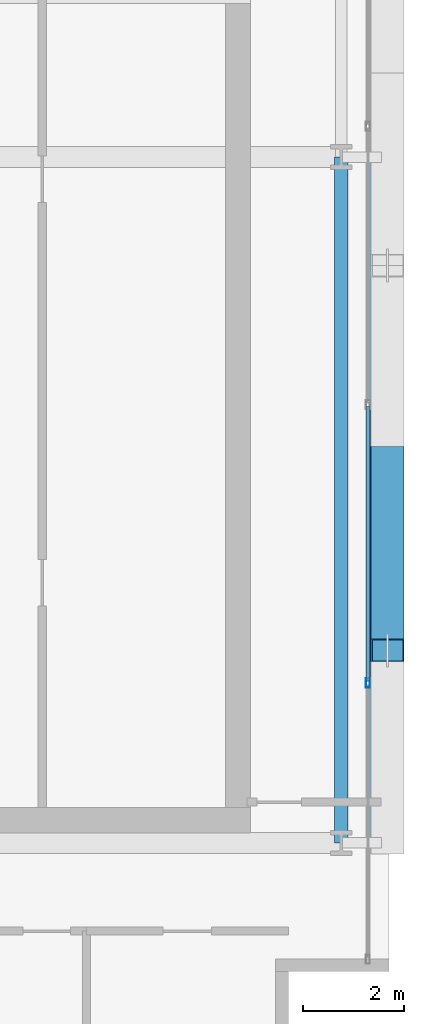
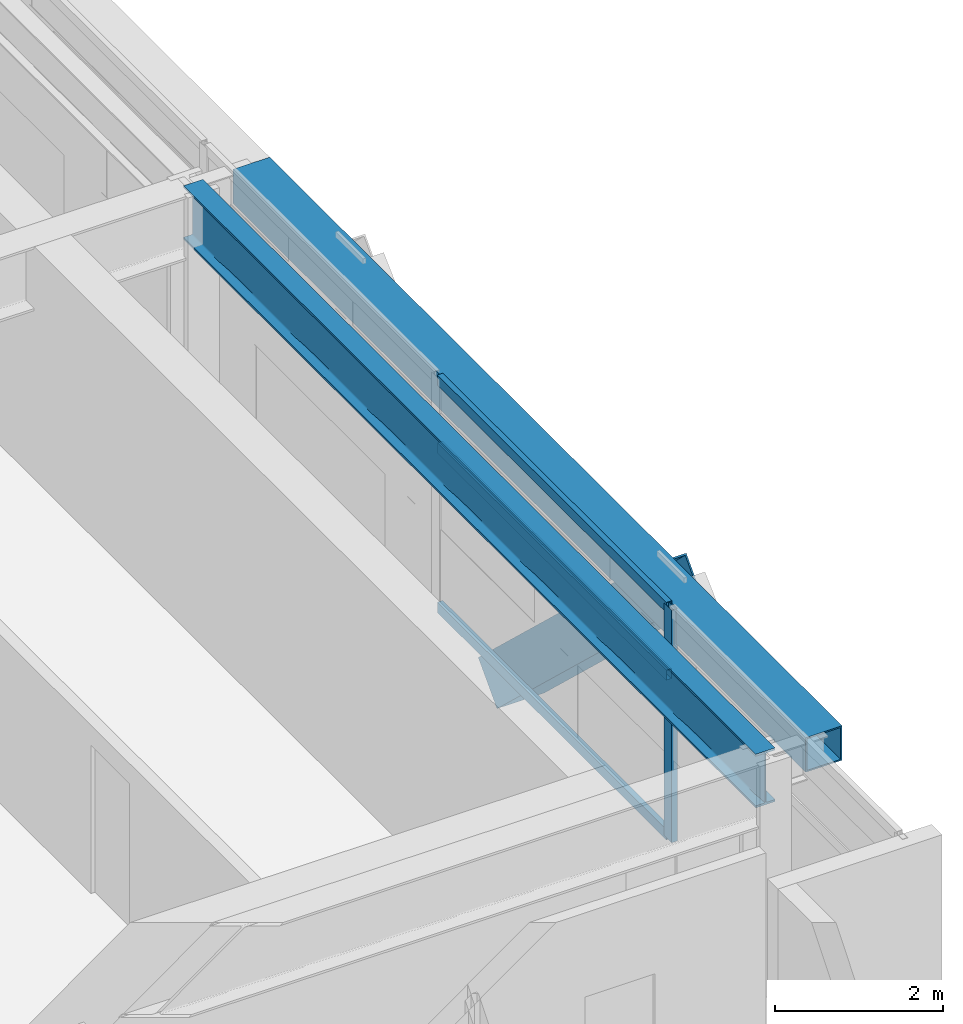
# One storey, part 12 of 31: 5 members, 2 beams, 1 element without a shape of its own.
"""IFC4 building model written with IfcOpenShell, lengths in metres."""

from ifc_helpers import new_model, si_unit, direction, frame, origin, origin_2d, place, context, subcontext, project, spatial, hollow_rectangle, i_section, extrude, source, transform, mapped, material, layer, layer_set, material_profile, profile_set, type_object, element, aggregate, save


model = new_model("IFC4")

# Units and contexts
model_context = context("Model", 3, precision=1e-05, world=origin(), true_north=direction((0.0, 1.0)))
body_context = subcontext(model_context, "Body", "Model", "MODEL_VIEW")
ifc_project = project(units=[si_unit("LENGTHUNIT", "METRE"), si_unit("AREAUNIT", "SQUARE_METRE"), si_unit("VOLUMEUNIT", "CUBIC_METRE"), si_unit("PLANEANGLEUNIT", "RADIAN"), si_unit("MASSUNIT", "GRAM", prefix="KILO")], contexts=[model_context])

# Site, building, storey
site_placement = place(None, origin())
site = spatial("IfcSite", under=ifc_project, at=site_placement, CompositionType="ELEMENT")
building_placement = place(site_placement, origin())
building = spatial("IfcBuilding", under=site, at=building_placement, Name="Ocotamira Hotel", CompositionType="ELEMENT")
storey_placement = place(building_placement, frame((0.0, 0.0, 202.800048828125)))
storey = spatial("IfcBuildingStorey", under=building, at=storey_placement, Name="L51", CompositionType="ELEMENT", Elevation=202.800048828125)

# Beams
ifc_material_1 = material(Name="Steel ASTM A992 Grade 50", Category="steel")
ifc_material_profile_1 = material_profile(ifc_material_1, i_section(OverallWidth=0.26611328125, OverallDepth=0.779052734375, WebThickness=0.0166015625, FlangeThickness=0.030029296875, FilletRadius=0.01806640625, at=origin_2d()), Name="W30X148")
ifc_profile_set_1 = profile_set([ifc_material_profile_1], Name="Steel ASTM A992 Grade 50")
beam_type_1 = type_object("IfcBeamType", Name="BM-GIRD-W30X148", PredefinedType="BEAM", material=ifc_profile_set_1)
shared_shape_1 = source(origin(), body_context, "Body", "SweptSolid", [
    extrude(i_section(OverallWidth=0.26611328125, OverallDepth=0.779052734375, WebThickness=0.0166015625, FlangeThickness=0.030029296875, FilletRadius=0.01806640625, at=origin_2d()), origin(), (0.0, 0.0, 1.0), 13.599853515625),
])
beam_1_placement = place(storey_placement, frame((55.050048828125, 14.550048828125, 2.98046875), z_axis=(0.0, 1.0, 0.0), x_axis=(-1.0, 0.0, 0.0)))
element("IfcBeam", 1, at=beam_1_placement, inside=storey, type_object=beam_type_1, Name="L51 Beam X55.05 Y14.55-28.15", PredefinedType="BEAM", context=body_context, shape_type="MappedRepresentation", body=[
    mapped(shared_shape_1, transform((0.0, 0.0, 0.0), scale=1.0)),
])
ifc_material_2 = material(Name="Steel ASTM A500 Grade C", Category="steel")
ifc_material_profile_2 = material_profile(ifc_material_2, hollow_rectangle(XDim=0.5, YDim=0.5, WallThickness=0.02001953125, at=origin_2d()), Name="HSS500X500X20")
ifc_profile_set_2 = profile_set([ifc_material_profile_2], Name="Steel ASTM A500 Grade C")
beam_type_2 = type_object("IfcBeamType", Name="BM-SPAN-HSS500", PredefinedType="USERDEFINED", material=ifc_profile_set_2)
shared_shape_2 = source(origin(), body_context, "Body", "SweptSolid", [
    extrude(hollow_rectangle(XDim=0.5, YDim=0.5, WallThickness=0.02001953125, at=origin_2d()), origin(), (0.0, 0.0, 1.0), 13.599853515625),
])
beam_2_placement = place(storey_placement, frame((55.85009765625, 14.550048828125, 3.119873046875), z_axis=(0.0, 1.0, 0.0), x_axis=(-1.0, 0.0, 0.0)))
element("IfcBeam", 2, at=beam_2_placement, inside=storey, type_object=beam_type_2, Name="L51 Edge Spandrel E Y14.55-28.15", ObjectType="SPANDREL", PredefinedType="USERDEFINED", context=body_context, shape_type="MappedRepresentation", body=[
    mapped(shared_shape_2, transform((0.0, 0.0, 0.0), scale=1.0)),
])

# Member
ifc_material_3 = material(Name="Pale-metal coated steel ASTM A913 Grade 65", Category="steel")
ifc_material_profile_3 = material_profile(ifc_material_3, hollow_rectangle(XDim=0.64990234375, YDim=0.64990234375, WallThickness=0.02197265625, at=origin_2d()), Name="BOX650X650X22")
ifc_profile_set_3 = profile_set([ifc_material_profile_3], Name="Pale-metal coated steel ASTM A913 Grade 65")
member_type_1 = type_object("IfcMemberType", Name="MEM-EXO-BOX650", PredefinedType="BRACE", material=ifc_profile_set_3)
shared_shape_3 = source(origin(), body_context, "Body", "SweptSolid", [
    extrude(hollow_rectangle(XDim=0.64990234375, YDim=0.64990234375, WallThickness=0.02197265625, at=origin_2d()), origin(), (0.0, 0.0, 1.0), 5.24658203125),
])
member_1_placement = place(storey_placement, frame((55.969970703125, 22.183349609375, -0.47998046875), z_axis=(0.0, -0.72746596067, 0.686143772154), x_axis=(1.0, 0.0, 0.0)))
element("IfcMember", 3, at=member_1_placement, inside=storey, type_object=member_type_1, Name="L51 Exoskeleton Diagrid E0.2", PredefinedType="BRACE", context=body_context, shape_type="MappedRepresentation", body=[
    mapped(shared_shape_3, transform((0.0, 0.0, 0.0), scale=1.0)),
])

# Curtain wall, members
ifc_material_4 = material(Name="Anodised pale-metal aluminium and solar glass", Category="aluminium")
ifc_layer = layer(ifc_material_4, 0.199951171875)
ifc_layer_set = layer_set([ifc_layer], Name="Anodised pale-metal aluminium and solar glass")
curtain_wall_type = type_object("IfcCurtainWallType", Name="CW-SYS4-Z3", PredefinedType="NOTDEFINED", material=ifc_layer_set)
curtain_wall_placement = place(storey_placement, origin())
curtain_wall = element("IfcCurtainWall", 4, at=curtain_wall_placement, inside=storey, type_object=curtain_wall_type, Name="L51 Curtain Wall CW-4 CW-L51-E", PredefinedType="NOTDEFINED")
ifc_material_5 = material(Name="Anodised pale-metal aluminium 6063-T6", Category="aluminium")
ifc_material_profile_4 = material_profile(ifc_material_5, hollow_rectangle(XDim=0.074951171875, YDim=0.14990234375, WallThickness=0.006103515625, at=origin_2d()), Name="HSS150X75X6")
ifc_profile_set_4 = profile_set([ifc_material_profile_4], Name="Anodised pale-metal aluminium 6063-T6")
member_type_2 = type_object("IfcMemberType", Name="CWT-150X75", PredefinedType="USERDEFINED", material=ifc_profile_set_4)
shared_shape_4 = source(origin(), body_context, "Body", "SweptSolid", [
    extrude(hollow_rectangle(XDim=0.074951171875, YDim=0.14990234375, WallThickness=0.006103515625, at=origin_2d()), origin(), (0.0, 0.0, 1.0), 5.43994140625),
])
member_2_placement = place(storey_placement, frame((55.580078125, 17.760009765625, 0.037353515625), z_axis=(0.0, 1.0, 0.0), x_axis=(-1.0, 0.0, 0.0)))
member_2 = element("IfcMember", 5, at=member_2_placement, type_object=member_type_2, Name="CW-4 transom 2.1", ObjectType="TRANSOM", PredefinedType="USERDEFINED", context=body_context, shape_type="MappedRepresentation", body=[
    mapped(shared_shape_4, transform((0.0, 0.0, 0.0), scale=1.0)),
])
member_3_placement = place(storey_placement, frame((55.580078125, 17.760009765625, 2.349853515625), z_axis=(0.0, 1.0, 0.0), x_axis=(-1.0, 0.0, 0.0)))
member_3 = element("IfcMember", 6, at=member_3_placement, type_object=member_type_2, Name="CW-4 transom 2.2", ObjectType="TRANSOM", PredefinedType="USERDEFINED", context=body_context, shape_type="MappedRepresentation", body=[
    mapped(shared_shape_4, transform((0.0, 0.0, 0.0), scale=1.0)),
])
member_4_placement = place(storey_placement, frame((55.580078125, 17.760009765625, 3.33251953125), z_axis=(0.0, 1.0, 0.0), x_axis=(-1.0, 0.0, 0.0)))
member_4 = element("IfcMember", 7, at=member_4_placement, type_object=member_type_2, Name="CW-4 transom 2.3", ObjectType="TRANSOM", PredefinedType="USERDEFINED", context=body_context, shape_type="MappedRepresentation", body=[
    mapped(shared_shape_4, transform((0.0, 0.0, 0.0), scale=1.0)),
])
ifc_material_profile_5 = material_profile(ifc_material_5, hollow_rectangle(XDim=0.080078125, YDim=0.179931640625, WallThickness=0.006103515625, at=origin_2d()), Name="HSS180X80X6")
ifc_profile_set_5 = profile_set([ifc_material_profile_5], Name="Anodised pale-metal aluminium 6063-T6")
member_type_3 = type_object("IfcMemberType", Name="CWM-180X75", PredefinedType="MULLION", material=ifc_profile_set_5)
shared_shape_5 = source(origin(), body_context, "Body", "SweptSolid", [
    extrude(hollow_rectangle(XDim=0.080078125, YDim=0.179931640625, WallThickness=0.006103515625, at=origin_2d()), origin(), (0.0, 0.0, 1.0), 3.369873046875),
])
member_5_placement = place(storey_placement, frame((55.580078125, 17.719970703125, 0.0), z_axis=(0.0, 0.0, 1.0), x_axis=(-1.0, 0.0, 0.0)))
member_5 = element("IfcMember", 8, at=member_5_placement, type_object=member_type_3, Name="CW-4 mullion 2", PredefinedType="MULLION", context=body_context, shape_type="MappedRepresentation", body=[
    mapped(shared_shape_5, transform((0.0, 0.0, 0.0), scale=1.0)),
])
aggregate(curtain_wall, [member_5, member_2, member_3, member_4])

save(model, "model.ifc")
